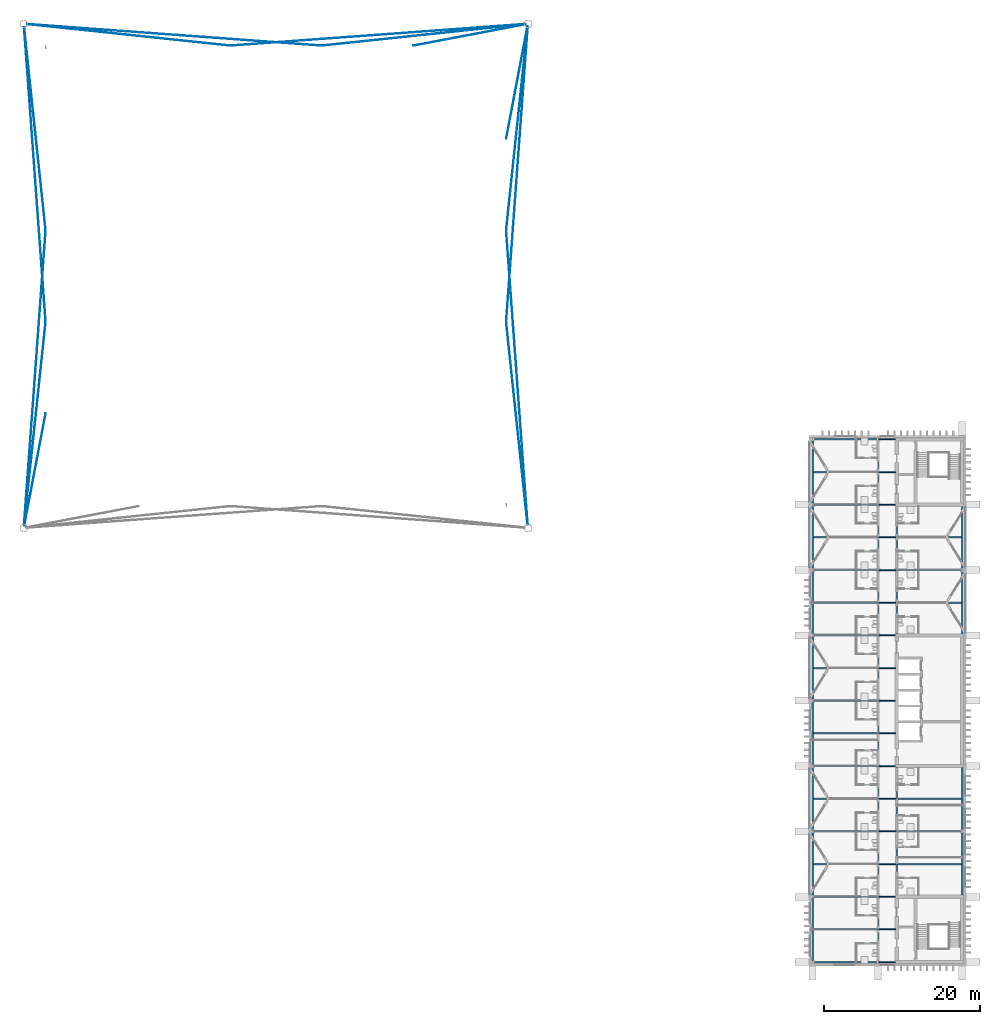
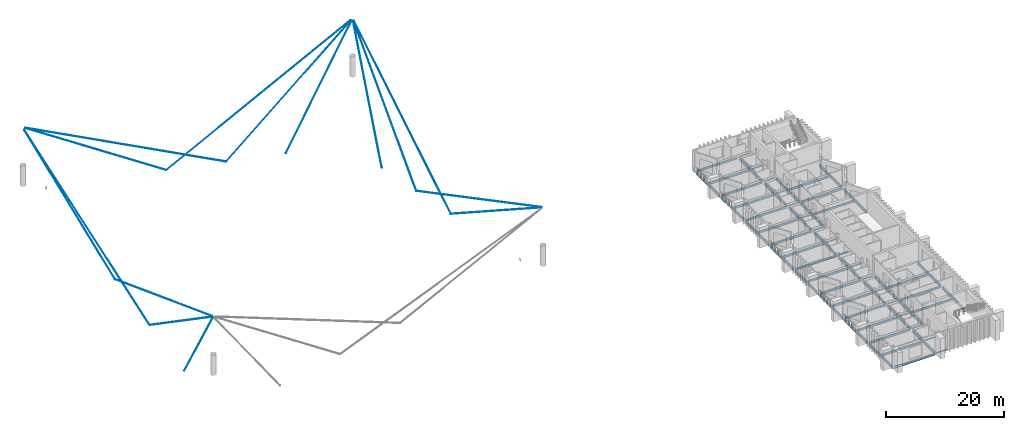
# One storey, part 8 of 18: 64 beams, 15 members.
"""IFC4 building model written with IfcOpenShell, lengths in metres."""

from ifc_helpers import new_model, si_unit, direction, frame, origin, origin_2d, place, context, subcontext, project, spatial, circle, i_section, extrude, material, material_profile, profile_set, type_object, element, save


model = new_model("IFC4")

# Units and contexts
model_context = context("Model", 3, precision=1e-05, world=origin(), true_north=direction((0.0, 1.0)))
body_context = subcontext(model_context, "Body", "Model", "MODEL_VIEW")
ifc_project = project(units=[si_unit("LENGTHUNIT", "METRE"), si_unit("AREAUNIT", "SQUARE_METRE"), si_unit("VOLUMEUNIT", "CUBIC_METRE"), si_unit("PLANEANGLEUNIT", "RADIAN"), si_unit("MASSUNIT", "GRAM", prefix="KILO")], contexts=[model_context])

# Site, building, storey
site_placement = place(None, origin())
site = spatial("IfcSite", under=ifc_project, at=site_placement, CompositionType="ELEMENT")
building_placement = place(site_placement, origin())
building = spatial("IfcBuilding", under=site, at=building_placement, Name="Cresset Court Congress Hotel", CompositionType="ELEMENT")
storey_placement = place(building_placement, frame((0.0, 0.0, 35.39990234375)))
storey = spatial("IfcBuildingStorey", under=building, at=storey_placement, Name="L08", CompositionType="ELEMENT", Elevation=35.39990234375)

# Members
ifc_material_1 = material(Name="Structural steel Q355B", Category="steel")
ifc_material_profile_1 = material_profile(ifc_material_1, circle(Radius=0.030029296875, at=origin_2d()), Name="CABLE60")
ifc_profile_set_1 = profile_set([ifc_material_profile_1], Name="Structural steel Q355B")
member_type = type_object("IfcMemberType", Name="Stay cable 60", PredefinedType="USERDEFINED", material=ifc_profile_set_1)
member_1_placement = place(storey_placement, frame((55.854736328125, 56.0888671875, 11.48583984375), z_axis=(0.107882043232, 0.568666851386, -0.815462737888), x_axis=(-0.982476580886, 0.186386072471, 0.0)))
element("IfcMember", 1, at=member_1_placement, inside=storey, type_object=member_type, Name="Stay cable M1-W1", ObjectType="CABLE", PredefinedType="USERDEFINED", context=body_context, shape_type="SweptSolid", body=[
    extrude(circle(Radius=0.030029296875, at=origin_2d()), origin(), (0.0, 0.0, 1.0), 25.443359375),
])
member_2_placement = place(storey_placement, frame((55.843505859375, 56.212890625, 11.607421875), z_axis=(0.085808684765, 0.812715952141, -0.576306906738), x_axis=(-0.994472327393, 0.104999000233, 0.0)))
element("IfcMember", 2, at=member_2_placement, inside=storey, type_object=member_type, Name="Stay cable M1-W2", ObjectType="CABLE", PredefinedType="USERDEFINED", context=body_context, shape_type="SweptSolid", body=[
    extrude(circle(Radius=0.030029296875, at=origin_2d()), origin(), (0.0, 0.0, 1.0), 32.119140625),
])
member_3_placement = place(storey_placement, frame((55.833984375, 56.265625, 11.699951171875), z_axis=(0.067059261743, 0.916733078293, -0.393831840483), x_axis=(-0.997335209469, 0.072955328483, 0.0)))
element("IfcMember", 3, at=member_3_placement, inside=storey, type_object=member_type, Name="Stay cable M1-W3", ObjectType="CABLE", PredefinedType="USERDEFINED", context=body_context, shape_type="SweptSolid", body=[
    extrude(circle(Radius=0.030029296875, at=origin_2d()), origin(), (0.0, 0.0, 1.0), 41.2451171875),
])
member_4_placement = place(storey_placement, frame((120.5546875, 56.22998046875, 11.633544921875), z_axis=(-0.089374306949, 0.846457549352, -0.524901753096), x_axis=(-0.994471947609, -0.105002597195, 0.0)))
element("IfcMember", 4, at=member_4_placement, inside=storey, type_object=member_type, Name="Stay cable M2-E2", ObjectType="CABLE", PredefinedType="USERDEFINED", context=body_context, shape_type="SweptSolid", body=[
    extrude(circle(Radius=0.030029296875, at=origin_2d()), origin(), (0.0, 0.0, 1.0), 30.818603515625),
])
member_5_placement = place(storey_placement, frame((120.566650390625, 56.2548828125, 11.676513671875), z_axis=(-0.065507521219, 0.895616332604, -0.439977441963), x_axis=(-0.997335780267, -0.072947524973, 0.0)))
element("IfcMember", 5, at=member_5_placement, inside=storey, type_object=member_type, Name="Stay cable M2-E3", ObjectType="CABLE", PredefinedType="USERDEFINED", context=body_context, shape_type="SweptSolid", body=[
    extrude(circle(Radius=0.030029296875, at=origin_2d()), origin(), (0.0, 0.0, 1.0), 42.229736328125),
])
member_6_placement = place(storey_placement, frame((120.31103515625, 120.545166015625, 11.48583984375), z_axis=(-0.568667440033, -0.10787255941, -0.815463582002), x_axis=(0.186370070345, -0.982479616521, 0.0)))
element("IfcMember", 6, at=member_6_placement, inside=storey, type_object=member_type, Name="Stay cable M3-N1", ObjectType="CABLE", PredefinedType="USERDEFINED", context=body_context, shape_type="SweptSolid", body=[
    extrude(circle(Radius=0.030029296875, at=origin_2d()), origin(), (0.0, 0.0, 1.0), 25.443359375),
])
member_7_placement = place(storey_placement, frame((120.187255859375, 120.556396484375, 11.607421875), z_axis=(-0.812718532632, -0.085808154682, -0.576303346604), x_axis=(0.104998029045, -0.994472429933, 0.0)))
element("IfcMember", 7, at=member_7_placement, inside=storey, type_object=member_type, Name="Stay cable M3-N2", ObjectType="CABLE", PredefinedType="USERDEFINED", context=body_context, shape_type="SweptSolid", body=[
    extrude(circle(Radius=0.030029296875, at=origin_2d()), origin(), (0.0, 0.0, 1.0), 32.119384765625),
])
member_8_placement = place(storey_placement, frame((120.13427734375, 120.56591796875, 11.699951171875), z_axis=(-0.916732497446, -0.067053732961, -0.393834133898), x_axis=(0.072949391577, -0.997335643737, 0.0)))
element("IfcMember", 8, at=member_8_placement, inside=storey, type_object=member_type, Name="Stay cable M3-N3", ObjectType="CABLE", PredefinedType="USERDEFINED", context=body_context, shape_type="SweptSolid", body=[
    extrude(circle(Radius=0.030029296875, at=origin_2d()), origin(), (0.0, 0.0, 1.0), 41.244873046875),
])
member_9_placement = place(storey_placement, frame((120.545166015625, 120.31103515625, 11.48583984375), z_axis=(-0.10787255941, -0.568667440033, -0.815463582002), x_axis=(0.982479616521, -0.186370070345, 0.0)))
element("IfcMember", 9, at=member_9_placement, inside=storey, type_object=member_type, Name="Stay cable M3-E1", ObjectType="CABLE", PredefinedType="USERDEFINED", context=body_context, shape_type="SweptSolid", body=[
    extrude(circle(Radius=0.030029296875, at=origin_2d()), origin(), (0.0, 0.0, 1.0), 25.443359375),
])
member_10_placement = place(storey_placement, frame((120.556396484375, 120.187255859375, 11.607421875), z_axis=(-0.085808154682, -0.812718532632, -0.576303346604), x_axis=(0.994472429933, -0.104998029045, 0.0)))
element("IfcMember", 10, at=member_10_placement, inside=storey, type_object=member_type, Name="Stay cable M3-E2", ObjectType="CABLE", PredefinedType="USERDEFINED", context=body_context, shape_type="SweptSolid", body=[
    extrude(circle(Radius=0.030029296875, at=origin_2d()), origin(), (0.0, 0.0, 1.0), 32.119384765625),
])
member_11_placement = place(storey_placement, frame((120.56591796875, 120.13427734375, 11.699951171875), z_axis=(-0.067053732961, -0.916732497446, -0.393834133898), x_axis=(0.997335643737, -0.072949391577, 0.0)))
element("IfcMember", 11, at=member_11_placement, inside=storey, type_object=member_type, Name="Stay cable M3-E3", ObjectType="CABLE", PredefinedType="USERDEFINED", context=body_context, shape_type="SweptSolid", body=[
    extrude(circle(Radius=0.030029296875, at=origin_2d()), origin(), (0.0, 0.0, 1.0), 41.244873046875),
])
member_12_placement = place(storey_placement, frame((56.22998046875, 120.5546875, 11.633544921875), z_axis=(0.846457549352, -0.089374306949, -0.524901753096), x_axis=(0.105002597195, 0.994471947609, 0.0)))
element("IfcMember", 12, at=member_12_placement, inside=storey, type_object=member_type, Name="Stay cable M4-N2", ObjectType="CABLE", PredefinedType="USERDEFINED", context=body_context, shape_type="SweptSolid", body=[
    extrude(circle(Radius=0.030029296875, at=origin_2d()), origin(), (0.0, 0.0, 1.0), 30.818603515625),
])
member_13_placement = place(storey_placement, frame((56.2548828125, 120.566650390625, 11.676513671875), z_axis=(0.895616332604, -0.065507521219, -0.439977441963), x_axis=(0.072947524973, 0.997335780267, 0.0)))
element("IfcMember", 13, at=member_13_placement, inside=storey, type_object=member_type, Name="Stay cable M4-N3", ObjectType="CABLE", PredefinedType="USERDEFINED", context=body_context, shape_type="SweptSolid", body=[
    extrude(circle(Radius=0.030029296875, at=origin_2d()), origin(), (0.0, 0.0, 1.0), 42.229736328125),
])
member_14_placement = place(storey_placement, frame((55.845458984375, 120.169921875, 11.633544921875), z_axis=(0.08936704762, -0.846455902689, -0.524905644475), x_axis=(0.994472816835, 0.104994364499, 0.0)))
element("IfcMember", 14, at=member_14_placement, inside=storey, type_object=member_type, Name="Stay cable M4-W2", ObjectType="CABLE", PredefinedType="USERDEFINED", context=body_context, shape_type="SweptSolid", body=[
    extrude(circle(Radius=0.030029296875, at=origin_2d()), origin(), (0.0, 0.0, 1.0), 30.818359375),
])
member_15_placement = place(storey_placement, frame((55.833251953125, 120.14501953125, 11.676513671875), z_axis=(0.065513277673, -0.895615993405, -0.439977275329), x_axis=(0.997335311871, 0.072953928582, 0.0)))
element("IfcMember", 15, at=member_15_placement, inside=storey, type_object=member_type, Name="Stay cable M4-W3", ObjectType="CABLE", PredefinedType="USERDEFINED", context=body_context, shape_type="SweptSolid", body=[
    extrude(circle(Radius=0.030029296875, at=origin_2d()), origin(), (0.0, 0.0, 1.0), 42.229736328125),
])

# Beams
ifc_material_2 = material(Name="Structural steel Q355B", Category="steel")
ifc_material_profile_2 = material_profile(ifc_material_2, i_section(OverallWidth=0.198974609375, OverallDepth=0.446044921875, WebThickness=0.008056640625, FlangeThickness=0.011962890625, FilletRadius=0.012939453125, at=origin_2d()), Name="HN446x199x8x12")
ifc_profile_set_2 = profile_set([ifc_material_profile_2], Name="Structural steel Q355B")
beam_type_1 = type_object("IfcBeamType", Name="Steel beam HN446x199x8x12", PredefinedType="BEAM", material=ifc_profile_set_2)
beam_1_placement = place(storey_placement, frame((157.39990234375, 0.0, -0.372802734375), z_axis=(1.0, 0.0, 0.0), x_axis=(0.0, 1.0, 0.0)))
element("IfcBeam", 16, at=beam_1_placement, inside=storey, type_object=beam_type_1, Name="A.bm.L08.W.frame0.0", PredefinedType="BEAM", context=body_context, shape_type="SweptSolid", body=[
    extrude(i_section(OverallWidth=0.198974609375, OverallDepth=0.446044921875, WebThickness=0.008056640625, FlangeThickness=0.011962890625, FilletRadius=0.012939453125, at=origin_2d()), origin(), (0.0, 0.0, 1.0), 8.0),
])
beam_2_placement = place(storey_placement, frame((157.300048828125, 4.199951171875, -0.372802734375), z_axis=(1.0, 0.0, 0.0), x_axis=(0.0, 1.0, 0.0)))
element("IfcBeam", 17, at=beam_2_placement, inside=storey, type_object=beam_type_1, Name="A.bm.L08.W.mid.0", PredefinedType="BEAM", context=body_context, shape_type="SweptSolid", body=[
    extrude(i_section(OverallWidth=0.198974609375, OverallDepth=0.446044921875, WebThickness=0.008056640625, FlangeThickness=0.011962890625, FilletRadius=0.012939453125, at=origin_2d()), origin(), (0.0, 0.0, 1.0), 8.199951171875),
])
beam_3_placement = place(storey_placement, frame((157.39990234375, 8.39990234375, -0.372802734375), z_axis=(1.0, 0.0, 0.0), x_axis=(0.0, 1.0, 0.0)))
element("IfcBeam", 18, at=beam_3_placement, inside=storey, type_object=beam_type_1, Name="A.bm.L08.W.frame0.1", PredefinedType="BEAM", context=body_context, shape_type="SweptSolid", body=[
    extrude(i_section(OverallWidth=0.198974609375, OverallDepth=0.446044921875, WebThickness=0.008056640625, FlangeThickness=0.011962890625, FilletRadius=0.012939453125, at=origin_2d()), origin(), (0.0, 0.0, 1.0), 8.0),
])
for number, where, z_axis, x_axis, name in (
    (19, (157.300048828125, 12.60009765625, -0.372802734375), (1.0, 0.0, 0.0), (0.0, 1.0, 0.0), "A.bm.L08.W.mid.1"),
    (20, (168.10009765625, 12.60009765625, -0.372802734375), (1.0, 0.0, 0.0), (0.0, 1.0, 0.0), "A.bm.L08.E.mid.1"),
):
    element("IfcBeam", number, at=place(storey_placement, frame(where, z_axis=z_axis, x_axis=x_axis)), inside=storey, type_object=beam_type_1, Name=name, PredefinedType="BEAM", context=body_context, shape_type="SweptSolid", body=[
        extrude(i_section(OverallWidth=0.198974609375, OverallDepth=0.446044921875, WebThickness=0.008056640625, FlangeThickness=0.011962890625, FilletRadius=0.012939453125, at=origin_2d()), origin(), (0.0, 0.0, 1.0), 8.199951171875),
    ])
for number, where, z_axis, x_axis, name in (
    (21, (157.39990234375, 16.800048828125, -0.372802734375), (1.0, 0.0, 0.0), (0.0, 1.0, 0.0), "A.bm.L08.W.frame0.2"),
    (22, (168.199951171875, 16.800048828125, -0.372802734375), (1.0, 0.0, 0.0), (0.0, 1.0, 0.0), "A.bm.L08.E.frame0.2"),
):
    element("IfcBeam", number, at=place(storey_placement, frame(where, z_axis=z_axis, x_axis=x_axis)), inside=storey, type_object=beam_type_1, Name=name, PredefinedType="BEAM", context=body_context, shape_type="SweptSolid", body=[
        extrude(i_section(OverallWidth=0.198974609375, OverallDepth=0.446044921875, WebThickness=0.008056640625, FlangeThickness=0.011962890625, FilletRadius=0.012939453125, at=origin_2d()), origin(), (0.0, 0.0, 1.0), 8.0),
    ])
for number, where, z_axis, x_axis, name in (
    (23, (157.300048828125, 21.0, -0.372802734375), (1.0, 0.0, 0.0), (0.0, 1.0, 0.0), "A.bm.L08.W.mid.2"),
    (24, (168.10009765625, 21.0, -0.372802734375), (1.0, 0.0, 0.0), (0.0, 1.0, 0.0), "A.bm.L08.E.mid.2"),
):
    element("IfcBeam", number, at=place(storey_placement, frame(where, z_axis=z_axis, x_axis=x_axis)), inside=storey, type_object=beam_type_1, Name=name, PredefinedType="BEAM", context=body_context, shape_type="SweptSolid", body=[
        extrude(i_section(OverallWidth=0.198974609375, OverallDepth=0.446044921875, WebThickness=0.008056640625, FlangeThickness=0.011962890625, FilletRadius=0.012939453125, at=origin_2d()), origin(), (0.0, 0.0, 1.0), 8.199951171875),
    ])
beam_4_placement = place(storey_placement, frame((157.39990234375, 25.199951171875, -0.372802734375), z_axis=(1.0, 0.0, 0.0), x_axis=(0.0, 1.0, 0.0)))
element("IfcBeam", 25, at=beam_4_placement, inside=storey, type_object=beam_type_1, Name="A.bm.L08.W.frame0.3", PredefinedType="BEAM", context=body_context, shape_type="SweptSolid", body=[
    extrude(i_section(OverallWidth=0.198974609375, OverallDepth=0.446044921875, WebThickness=0.008056640625, FlangeThickness=0.011962890625, FilletRadius=0.012939453125, at=origin_2d()), origin(), (0.0, 0.0, 1.0), 8.0),
])
beam_5_placement = place(storey_placement, frame((157.300048828125, 29.39990234375, -0.372802734375), z_axis=(1.0, 0.0, 0.0), x_axis=(0.0, 1.0, 0.0)))
element("IfcBeam", 26, at=beam_5_placement, inside=storey, type_object=beam_type_1, Name="A.bm.L08.W.mid.3", PredefinedType="BEAM", context=body_context, shape_type="SweptSolid", body=[
    extrude(i_section(OverallWidth=0.198974609375, OverallDepth=0.446044921875, WebThickness=0.008056640625, FlangeThickness=0.011962890625, FilletRadius=0.012939453125, at=origin_2d()), origin(), (0.0, 0.0, 1.0), 8.199951171875),
])
beam_6_placement = place(storey_placement, frame((157.39990234375, 33.60009765625, -0.372802734375), z_axis=(1.0, 0.0, 0.0), x_axis=(0.0, 1.0, 0.0)))
element("IfcBeam", 27, at=beam_6_placement, inside=storey, type_object=beam_type_1, Name="A.bm.L08.W.frame0.4", PredefinedType="BEAM", context=body_context, shape_type="SweptSolid", body=[
    extrude(i_section(OverallWidth=0.198974609375, OverallDepth=0.446044921875, WebThickness=0.008056640625, FlangeThickness=0.011962890625, FilletRadius=0.012939453125, at=origin_2d()), origin(), (0.0, 0.0, 1.0), 8.0),
])
beam_7_placement = place(storey_placement, frame((157.300048828125, 37.800048828125, -0.372802734375), z_axis=(1.0, 0.0, 0.0), x_axis=(0.0, 1.0, 0.0)))
element("IfcBeam", 28, at=beam_7_placement, inside=storey, type_object=beam_type_1, Name="A.bm.L08.W.mid.4", PredefinedType="BEAM", context=body_context, shape_type="SweptSolid", body=[
    extrude(i_section(OverallWidth=0.198974609375, OverallDepth=0.446044921875, WebThickness=0.008056640625, FlangeThickness=0.011962890625, FilletRadius=0.012939453125, at=origin_2d()), origin(), (0.0, 0.0, 1.0), 8.199951171875),
])
beam_8_placement = place(storey_placement, frame((157.39990234375, 42.0, -0.372802734375), z_axis=(1.0, 0.0, 0.0), x_axis=(0.0, 1.0, 0.0)))
element("IfcBeam", 29, at=beam_8_placement, inside=storey, type_object=beam_type_1, Name="A.bm.L08.W.frame0.5", PredefinedType="BEAM", context=body_context, shape_type="SweptSolid", body=[
    extrude(i_section(OverallWidth=0.198974609375, OverallDepth=0.446044921875, WebThickness=0.008056640625, FlangeThickness=0.011962890625, FilletRadius=0.012939453125, at=origin_2d()), origin(), (0.0, 0.0, 1.0), 8.0),
])
for number, where, z_axis, x_axis, name in (
    (30, (157.300048828125, 46.199951171875, -0.372802734375), (1.0, 0.0, 0.0), (0.0, 1.0, 0.0), "A.bm.L08.W.mid.5"),
    (31, (168.10009765625, 46.199951171875, -0.372802734375), (1.0, 0.0, 0.0), (0.0, 1.0, 0.0), "A.bm.L08.E.mid.5"),
):
    element("IfcBeam", number, at=place(storey_placement, frame(where, z_axis=z_axis, x_axis=x_axis)), inside=storey, type_object=beam_type_1, Name=name, PredefinedType="BEAM", context=body_context, shape_type="SweptSolid", body=[
        extrude(i_section(OverallWidth=0.198974609375, OverallDepth=0.446044921875, WebThickness=0.008056640625, FlangeThickness=0.011962890625, FilletRadius=0.012939453125, at=origin_2d()), origin(), (0.0, 0.0, 1.0), 8.199951171875),
    ])
for number, where, z_axis, x_axis, name in (
    (32, (157.39990234375, 50.39990234375, -0.372802734375), (1.0, 0.0, 0.0), (0.0, 1.0, 0.0), "A.bm.L08.W.frame0.6"),
    (33, (168.199951171875, 50.39990234375, -0.372802734375), (1.0, 0.0, 0.0), (0.0, 1.0, 0.0), "A.bm.L08.E.frame0.6"),
):
    element("IfcBeam", number, at=place(storey_placement, frame(where, z_axis=z_axis, x_axis=x_axis)), inside=storey, type_object=beam_type_1, Name=name, PredefinedType="BEAM", context=body_context, shape_type="SweptSolid", body=[
        extrude(i_section(OverallWidth=0.198974609375, OverallDepth=0.446044921875, WebThickness=0.008056640625, FlangeThickness=0.011962890625, FilletRadius=0.012939453125, at=origin_2d()), origin(), (0.0, 0.0, 1.0), 8.0),
    ])
for number, where, z_axis, x_axis, name in (
    (34, (157.300048828125, 54.60009765625, -0.372802734375), (1.0, 0.0, 0.0), (0.0, 1.0, 0.0), "A.bm.L08.W.mid.6"),
    (35, (168.10009765625, 54.60009765625, -0.372802734375), (1.0, 0.0, 0.0), (0.0, 1.0, 0.0), "A.bm.L08.E.mid.6"),
):
    element("IfcBeam", number, at=place(storey_placement, frame(where, z_axis=z_axis, x_axis=x_axis)), inside=storey, type_object=beam_type_1, Name=name, PredefinedType="BEAM", context=body_context, shape_type="SweptSolid", body=[
        extrude(i_section(OverallWidth=0.198974609375, OverallDepth=0.446044921875, WebThickness=0.008056640625, FlangeThickness=0.011962890625, FilletRadius=0.012939453125, at=origin_2d()), origin(), (0.0, 0.0, 1.0), 8.199951171875),
    ])
beam_9_placement = place(storey_placement, frame((157.39990234375, 58.800048828125, -0.372802734375), z_axis=(1.0, 0.0, 0.0), x_axis=(0.0, 1.0, 0.0)))
element("IfcBeam", 36, at=beam_9_placement, inside=storey, type_object=beam_type_1, Name="A.bm.L08.W.frame0.7", PredefinedType="BEAM", context=body_context, shape_type="SweptSolid", body=[
    extrude(i_section(OverallWidth=0.198974609375, OverallDepth=0.446044921875, WebThickness=0.008056640625, FlangeThickness=0.011962890625, FilletRadius=0.012939453125, at=origin_2d()), origin(), (0.0, 0.0, 1.0), 8.0),
])
beam_10_placement = place(storey_placement, frame((157.300048828125, 63.0, -0.372802734375), z_axis=(1.0, 0.0, 0.0), x_axis=(0.0, 1.0, 0.0)))
element("IfcBeam", 37, at=beam_10_placement, inside=storey, type_object=beam_type_1, Name="A.bm.L08.W.mid.7", PredefinedType="BEAM", context=body_context, shape_type="SweptSolid", body=[
    extrude(i_section(OverallWidth=0.198974609375, OverallDepth=0.446044921875, WebThickness=0.008056640625, FlangeThickness=0.011962890625, FilletRadius=0.012939453125, at=origin_2d()), origin(), (0.0, 0.0, 1.0), 8.199951171875),
])
beam_11_placement = place(storey_placement, frame((157.39990234375, 67.199951171875, -0.372802734375), z_axis=(1.0, 0.0, 0.0), x_axis=(0.0, 1.0, 0.0)))
element("IfcBeam", 38, at=beam_11_placement, inside=storey, type_object=beam_type_1, Name="A.bm.L08.W.frame1.7", PredefinedType="BEAM", context=body_context, shape_type="SweptSolid", body=[
    extrude(i_section(OverallWidth=0.198974609375, OverallDepth=0.446044921875, WebThickness=0.008056640625, FlangeThickness=0.011962890625, FilletRadius=0.012939453125, at=origin_2d()), origin(), (0.0, 0.0, 1.0), 8.0),
])
ifc_material_3 = material(Name="Structural steel Q355B", Category="steel")
ifc_material_profile_3 = material_profile(ifc_material_3, i_section(OverallWidth=0.125, OverallDepth=0.25, WebThickness=0.006103515625, FlangeThickness=0.009033203125, FilletRadius=0.012939453125, at=origin_2d()), Name="HN250x125x6x9")
ifc_profile_set_3 = profile_set([ifc_material_profile_3], Name="Structural steel Q355B")
beam_type_2 = type_object("IfcBeamType", Name="Steel corridor beam HN250x125x6x9", PredefinedType="BEAM", material=ifc_profile_set_3)
beam_12_placement = place(storey_placement, frame((165.6064453125, 0.0, -0.27490234375), z_axis=(1.0, 0.0, 0.0), x_axis=(0.0, 1.0, 0.0)))
element("IfcBeam", 39, at=beam_12_placement, inside=storey, type_object=beam_type_2, Name="A.bm.L08.C.frame0.0", PredefinedType="BEAM", context=body_context, shape_type="SweptSolid", body=[
    extrude(i_section(OverallWidth=0.125, OverallDepth=0.25, WebThickness=0.006103515625, FlangeThickness=0.009033203125, FilletRadius=0.012939453125, at=origin_2d()), origin(), (0.0, 0.0, 1.0), 2.193603515625),
])
beam_13_placement = place(storey_placement, frame((165.699951171875, 4.199951171875, -0.27490234375), z_axis=(1.0, 0.0, 0.0), x_axis=(0.0, 1.0, 0.0)))
element("IfcBeam", 40, at=beam_13_placement, inside=storey, type_object=beam_type_2, Name="A.bm.L08.C.mid.0", PredefinedType="BEAM", context=body_context, shape_type="SweptSolid", body=[
    extrude(i_section(OverallWidth=0.125, OverallDepth=0.25, WebThickness=0.006103515625, FlangeThickness=0.009033203125, FilletRadius=0.012939453125, at=origin_2d()), origin(), (0.0, 0.0, 1.0), 2.199951171875),
])
beam_14_placement = place(storey_placement, frame((165.6064453125, 8.39990234375, -0.27490234375), z_axis=(1.0, 0.0, 0.0), x_axis=(0.0, 1.0, 0.0)))
element("IfcBeam", 41, at=beam_14_placement, inside=storey, type_object=beam_type_2, Name="A.bm.L08.C.frame0.1", PredefinedType="BEAM", context=body_context, shape_type="SweptSolid", body=[
    extrude(i_section(OverallWidth=0.125, OverallDepth=0.25, WebThickness=0.006103515625, FlangeThickness=0.009033203125, FilletRadius=0.012939453125, at=origin_2d()), origin(), (0.0, 0.0, 1.0), 2.193603515625),
])
beam_15_placement = place(storey_placement, frame((165.699951171875, 12.60009765625, -0.27490234375), z_axis=(1.0, 0.0, 0.0), x_axis=(0.0, 1.0, 0.0)))
element("IfcBeam", 42, at=beam_15_placement, inside=storey, type_object=beam_type_2, Name="A.bm.L08.C.mid.1", PredefinedType="BEAM", context=body_context, shape_type="SweptSolid", body=[
    extrude(i_section(OverallWidth=0.125, OverallDepth=0.25, WebThickness=0.006103515625, FlangeThickness=0.009033203125, FilletRadius=0.012939453125, at=origin_2d()), origin(), (0.0, 0.0, 1.0), 2.199951171875),
])
beam_16_placement = place(storey_placement, frame((165.6064453125, 16.800048828125, -0.27490234375), z_axis=(1.0, 0.0, 0.0), x_axis=(0.0, 1.0, 0.0)))
element("IfcBeam", 43, at=beam_16_placement, inside=storey, type_object=beam_type_2, Name="A.bm.L08.C.frame0.2", PredefinedType="BEAM", context=body_context, shape_type="SweptSolid", body=[
    extrude(i_section(OverallWidth=0.125, OverallDepth=0.25, WebThickness=0.006103515625, FlangeThickness=0.009033203125, FilletRadius=0.012939453125, at=origin_2d()), origin(), (0.0, 0.0, 1.0), 2.386962890625),
])
beam_17_placement = place(storey_placement, frame((165.699951171875, 21.0, -0.27490234375), z_axis=(1.0, 0.0, 0.0), x_axis=(0.0, 1.0, 0.0)))
element("IfcBeam", 44, at=beam_17_placement, inside=storey, type_object=beam_type_2, Name="A.bm.L08.C.mid.2", PredefinedType="BEAM", context=body_context, shape_type="SweptSolid", body=[
    extrude(i_section(OverallWidth=0.125, OverallDepth=0.25, WebThickness=0.006103515625, FlangeThickness=0.009033203125, FilletRadius=0.012939453125, at=origin_2d()), origin(), (0.0, 0.0, 1.0), 2.199951171875),
])
beam_18_placement = place(storey_placement, frame((165.6064453125, 25.199951171875, -0.27490234375), z_axis=(1.0, 0.0, 0.0), x_axis=(0.0, 1.0, 0.0)))
element("IfcBeam", 45, at=beam_18_placement, inside=storey, type_object=beam_type_2, Name="A.bm.L08.C.frame0.3", PredefinedType="BEAM", context=body_context, shape_type="SweptSolid", body=[
    extrude(i_section(OverallWidth=0.125, OverallDepth=0.25, WebThickness=0.006103515625, FlangeThickness=0.009033203125, FilletRadius=0.012939453125, at=origin_2d()), origin(), (0.0, 0.0, 1.0), 2.193603515625),
])
beam_19_placement = place(storey_placement, frame((165.699951171875, 29.39990234375, -0.27490234375), z_axis=(1.0, 0.0, 0.0), x_axis=(0.0, 1.0, 0.0)))
element("IfcBeam", 46, at=beam_19_placement, inside=storey, type_object=beam_type_2, Name="A.bm.L08.C.mid.3", PredefinedType="BEAM", context=body_context, shape_type="SweptSolid", body=[
    extrude(i_section(OverallWidth=0.125, OverallDepth=0.25, WebThickness=0.006103515625, FlangeThickness=0.009033203125, FilletRadius=0.012939453125, at=origin_2d()), origin(), (0.0, 0.0, 1.0), 2.199951171875),
])
beam_20_placement = place(storey_placement, frame((165.6064453125, 33.60009765625, -0.27490234375), z_axis=(1.0, 0.0, 0.0), x_axis=(0.0, 1.0, 0.0)))
element("IfcBeam", 47, at=beam_20_placement, inside=storey, type_object=beam_type_2, Name="A.bm.L08.C.frame0.4", PredefinedType="BEAM", context=body_context, shape_type="SweptSolid", body=[
    extrude(i_section(OverallWidth=0.125, OverallDepth=0.25, WebThickness=0.006103515625, FlangeThickness=0.009033203125, FilletRadius=0.012939453125, at=origin_2d()), origin(), (0.0, 0.0, 1.0), 2.193603515625),
])
beam_21_placement = place(storey_placement, frame((165.699951171875, 37.800048828125, -0.27490234375), z_axis=(1.0, 0.0, 0.0), x_axis=(0.0, 1.0, 0.0)))
element("IfcBeam", 48, at=beam_21_placement, inside=storey, type_object=beam_type_2, Name="A.bm.L08.C.mid.4", PredefinedType="BEAM", context=body_context, shape_type="SweptSolid", body=[
    extrude(i_section(OverallWidth=0.125, OverallDepth=0.25, WebThickness=0.006103515625, FlangeThickness=0.009033203125, FilletRadius=0.012939453125, at=origin_2d()), origin(), (0.0, 0.0, 1.0), 2.199951171875),
])
beam_22_placement = place(storey_placement, frame((165.6064453125, 42.0, -0.27490234375), z_axis=(1.0, 0.0, 0.0), x_axis=(0.0, 1.0, 0.0)))
element("IfcBeam", 49, at=beam_22_placement, inside=storey, type_object=beam_type_2, Name="A.bm.L08.C.frame0.5", PredefinedType="BEAM", context=body_context, shape_type="SweptSolid", body=[
    extrude(i_section(OverallWidth=0.125, OverallDepth=0.25, WebThickness=0.006103515625, FlangeThickness=0.009033203125, FilletRadius=0.012939453125, at=origin_2d()), origin(), (0.0, 0.0, 1.0), 2.193603515625),
])
beam_23_placement = place(storey_placement, frame((165.699951171875, 46.199951171875, -0.27490234375), z_axis=(1.0, 0.0, 0.0), x_axis=(0.0, 1.0, 0.0)))
element("IfcBeam", 50, at=beam_23_placement, inside=storey, type_object=beam_type_2, Name="A.bm.L08.C.mid.5", PredefinedType="BEAM", context=body_context, shape_type="SweptSolid", body=[
    extrude(i_section(OverallWidth=0.125, OverallDepth=0.25, WebThickness=0.006103515625, FlangeThickness=0.009033203125, FilletRadius=0.012939453125, at=origin_2d()), origin(), (0.0, 0.0, 1.0), 2.199951171875),
])
beam_24_placement = place(storey_placement, frame((165.6064453125, 50.39990234375, -0.27490234375), z_axis=(1.0, 0.0, 0.0), x_axis=(0.0, 1.0, 0.0)))
element("IfcBeam", 51, at=beam_24_placement, inside=storey, type_object=beam_type_2, Name="A.bm.L08.C.frame0.6", PredefinedType="BEAM", context=body_context, shape_type="SweptSolid", body=[
    extrude(i_section(OverallWidth=0.125, OverallDepth=0.25, WebThickness=0.006103515625, FlangeThickness=0.009033203125, FilletRadius=0.012939453125, at=origin_2d()), origin(), (0.0, 0.0, 1.0), 2.386962890625),
])
beam_25_placement = place(storey_placement, frame((165.699951171875, 54.60009765625, -0.27490234375), z_axis=(1.0, 0.0, 0.0), x_axis=(0.0, 1.0, 0.0)))
element("IfcBeam", 52, at=beam_25_placement, inside=storey, type_object=beam_type_2, Name="A.bm.L08.C.mid.6", PredefinedType="BEAM", context=body_context, shape_type="SweptSolid", body=[
    extrude(i_section(OverallWidth=0.125, OverallDepth=0.25, WebThickness=0.006103515625, FlangeThickness=0.009033203125, FilletRadius=0.012939453125, at=origin_2d()), origin(), (0.0, 0.0, 1.0), 2.199951171875),
])
beam_26_placement = place(storey_placement, frame((165.6064453125, 58.800048828125, -0.27490234375), z_axis=(1.0, 0.0, 0.0), x_axis=(0.0, 1.0, 0.0)))
element("IfcBeam", 53, at=beam_26_placement, inside=storey, type_object=beam_type_2, Name="A.bm.L08.C.frame0.7", PredefinedType="BEAM", context=body_context, shape_type="SweptSolid", body=[
    extrude(i_section(OverallWidth=0.125, OverallDepth=0.25, WebThickness=0.006103515625, FlangeThickness=0.009033203125, FilletRadius=0.012939453125, at=origin_2d()), origin(), (0.0, 0.0, 1.0), 2.193603515625),
])
beam_27_placement = place(storey_placement, frame((165.699951171875, 63.0, -0.27490234375), z_axis=(1.0, 0.0, 0.0), x_axis=(0.0, 1.0, 0.0)))
element("IfcBeam", 54, at=beam_27_placement, inside=storey, type_object=beam_type_2, Name="A.bm.L08.C.mid.7", PredefinedType="BEAM", context=body_context, shape_type="SweptSolid", body=[
    extrude(i_section(OverallWidth=0.125, OverallDepth=0.25, WebThickness=0.006103515625, FlangeThickness=0.009033203125, FilletRadius=0.012939453125, at=origin_2d()), origin(), (0.0, 0.0, 1.0), 2.199951171875),
])
beam_28_placement = place(storey_placement, frame((165.6064453125, 67.199951171875, -0.27490234375), z_axis=(1.0, 0.0, 0.0), x_axis=(0.0, 1.0, 0.0)))
element("IfcBeam", 55, at=beam_28_placement, inside=storey, type_object=beam_type_2, Name="A.bm.L08.C.frame1.7", PredefinedType="BEAM", context=body_context, shape_type="SweptSolid", body=[
    extrude(i_section(OverallWidth=0.125, OverallDepth=0.25, WebThickness=0.006103515625, FlangeThickness=0.009033203125, FilletRadius=0.012939453125, at=origin_2d()), origin(), (0.0, 0.0, 1.0), 2.193603515625),
])
ifc_material_4 = material(Name="Structural steel Q355B", Category="steel")
ifc_material_profile_4 = material_profile(ifc_material_4, i_section(OverallWidth=0.199951171875, OverallDepth=0.60009765625, WebThickness=0.010986328125, FlangeThickness=0.01708984375, FilletRadius=0.012939453125, at=origin_2d()), Name="HN600x200x11x17")
ifc_profile_set_4 = profile_set([ifc_material_profile_4], Name="Structural steel Q355B")
beam_type_3 = type_object("IfcBeamType", Name="Steel girder HN600x200x11x17", PredefinedType="BEAM", material=ifc_profile_set_4)
for number, where, z_axis, x_axis, name in (
    (56, (157.199951171875, 0.199951171875, -0.449951171875), (0.0, 1.0, 0.0), (-1.0, 0.0, 0.0), "A.gir.L08.0.0"),
    (57, (157.199951171875, 8.60009765625, -0.449951171875), (0.0, 1.0, 0.0), (-1.0, 0.0, 0.0), "A.gir.L08.0.1"),
    (58, (157.199951171875, 17.0, -0.449951171875), (0.0, 1.0, 0.0), (-1.0, 0.0, 0.0), "A.gir.L08.0.2"),
    (59, (157.199951171875, 25.39990234375, -0.449951171875), (0.0, 1.0, 0.0), (-1.0, 0.0, 0.0), "A.gir.L08.0.3"),
    (60, (157.199951171875, 33.800048828125, -0.449951171875), (0.0, 1.0, 0.0), (-1.0, 0.0, 0.0), "A.gir.L08.0.4"),
    (61, (157.199951171875, 42.199951171875, -0.449951171875), (0.0, 1.0, 0.0), (-1.0, 0.0, 0.0), "A.gir.L08.0.5"),
    (62, (157.199951171875, 50.60009765625, -0.449951171875), (0.0, 1.0, 0.0), (-1.0, 0.0, 0.0), "A.gir.L08.0.6"),
    (63, (157.199951171875, 59.0, -0.449951171875), (0.0, 1.0, 0.0), (-1.0, 0.0, 0.0), "A.gir.L08.0.7"),
    (64, (165.60009765625, 0.199951171875, -0.449951171875), (0.0, 1.0, 0.0), (-1.0, 0.0, 0.0), "A.gir.L08.1.0"),
    (65, (165.60009765625, 8.60009765625, -0.449951171875), (0.0, 1.0, 0.0), (-1.0, 0.0, 0.0), "A.gir.L08.1.1"),
    (66, (165.60009765625, 17.0, -0.449951171875), (0.0, 1.0, 0.0), (-1.0, 0.0, 0.0), "A.gir.L08.1.2"),
    (67, (165.60009765625, 25.39990234375, -0.449951171875), (0.0, 1.0, 0.0), (-1.0, 0.0, 0.0), "A.gir.L08.1.3"),
    (68, (165.60009765625, 33.800048828125, -0.449951171875), (0.0, 1.0, 0.0), (-1.0, 0.0, 0.0), "A.gir.L08.1.4"),
    (69, (165.60009765625, 42.199951171875, -0.449951171875), (0.0, 1.0, 0.0), (-1.0, 0.0, 0.0), "A.gir.L08.1.5"),
    (70, (165.60009765625, 50.60009765625, -0.449951171875), (0.0, 1.0, 0.0), (-1.0, 0.0, 0.0), "A.gir.L08.1.6"),
    (71, (165.60009765625, 59.0, -0.449951171875), (0.0, 1.0, 0.0), (-1.0, 0.0, 0.0), "A.gir.L08.1.7"),
    (72, (168.0, 8.60009765625, -0.449951171875), (0.0, 1.0, 0.0), (-1.0, 0.0, 0.0), "A.gir.L08.2.1"),
    (73, (168.0, 17.0, -0.449951171875), (0.0, 1.0, 0.0), (-1.0, 0.0, 0.0), "A.gir.L08.2.2"),
    (74, (168.0, 42.199951171875, -0.449951171875), (0.0, 1.0, 0.0), (-1.0, 0.0, 0.0), "A.gir.L08.2.5"),
    (75, (168.0, 50.60009765625, -0.449951171875), (0.0, 1.0, 0.0), (-1.0, 0.0, 0.0), "A.gir.L08.2.6"),
    (76, (176.39990234375, 8.60009765625, -0.449951171875), (0.0, 1.0, 0.0), (-1.0, 0.0, 0.0), "A.gir.L08.3.1"),
    (77, (176.39990234375, 17.0, -0.449951171875), (0.0, 1.0, 0.0), (-1.0, 0.0, 0.0), "A.gir.L08.3.2"),
    (78, (176.39990234375, 42.199951171875, -0.449951171875), (0.0, 1.0, 0.0), (-1.0, 0.0, 0.0), "A.gir.L08.3.5"),
    (79, (176.39990234375, 50.60009765625, -0.449951171875), (0.0, 1.0, 0.0), (-1.0, 0.0, 0.0), "A.gir.L08.3.6"),
):
    element("IfcBeam", number, at=place(storey_placement, frame(where, z_axis=z_axis, x_axis=x_axis)), inside=storey, type_object=beam_type_3, Name=name, PredefinedType="BEAM", context=body_context, shape_type="SweptSolid", body=[
        extrude(i_section(OverallWidth=0.199951171875, OverallDepth=0.60009765625, WebThickness=0.010986328125, FlangeThickness=0.01708984375, FilletRadius=0.012939453125, at=origin_2d()), origin(), (0.0, 0.0, 1.0), 8.0),
    ])

save(model, "model.ifc")
